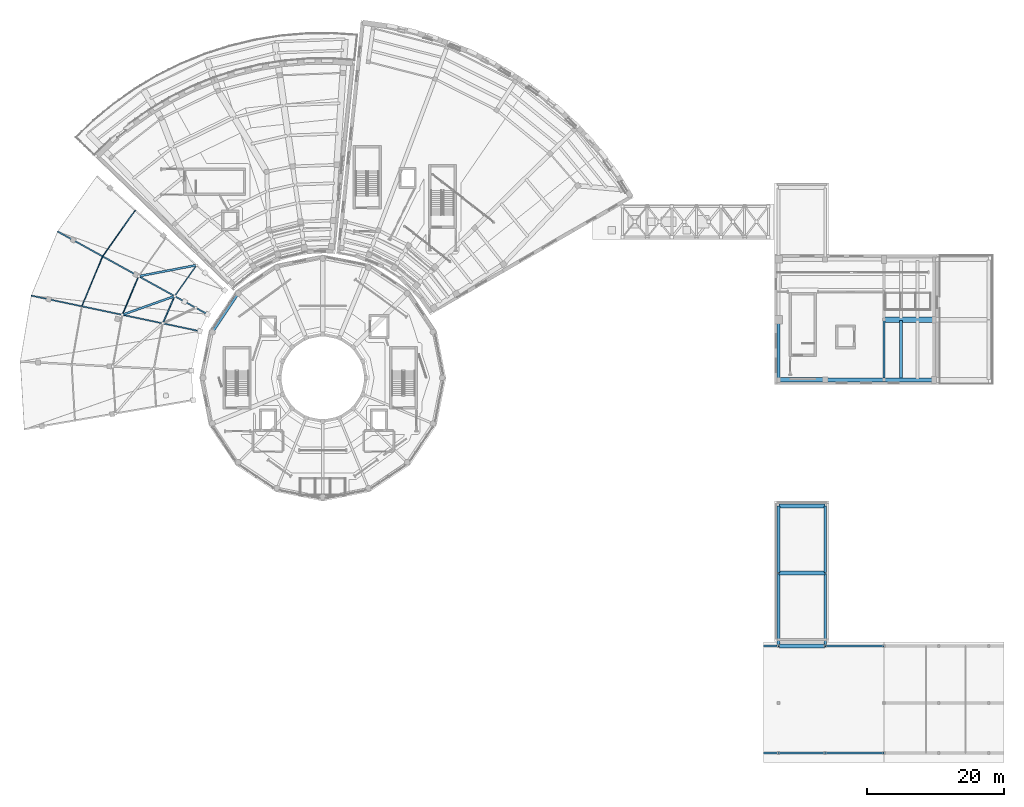
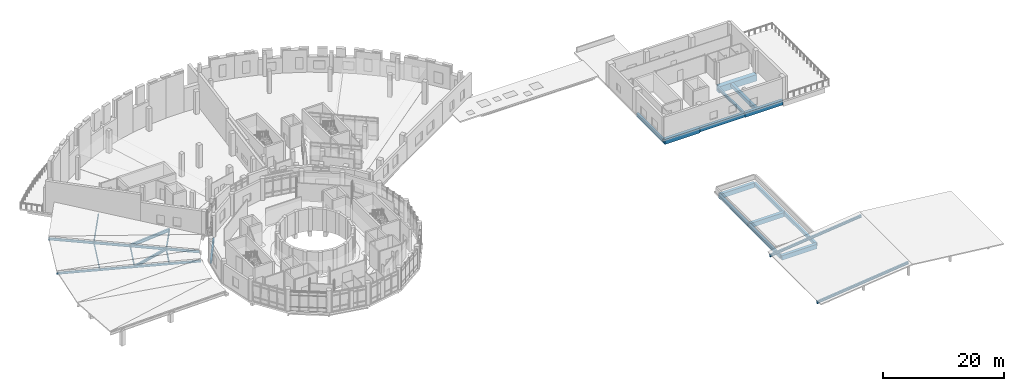
# One storey, part 12 of 49: 19 beams, 7 members.
"""IFC4 building model written with IfcOpenShell, lengths in metres."""

from ifc_helpers import new_model, si_unit, direction, frame, origin, origin_2d, place, context, subcontext, project, spatial, rectangle, i_section, extrude, material, material_profile, profile_set, type_object, element, save


model = new_model("IFC4")

# Units and contexts
model_context = context("Model", 3, precision=1e-05, world=origin(), true_north=direction((0.0, 1.0)))
body_context = subcontext(model_context, "Body", "Model", "MODEL_VIEW")
ifc_project = project(units=[si_unit("LENGTHUNIT", "METRE"), si_unit("AREAUNIT", "SQUARE_METRE"), si_unit("VOLUMEUNIT", "CUBIC_METRE"), si_unit("PLANEANGLEUNIT", "RADIAN"), si_unit("MASSUNIT", "GRAM", prefix="KILO")], contexts=[model_context])

# Site, building, storey
site_placement = place(None, origin())
site = spatial("IfcSite", under=ifc_project, at=site_placement, CompositionType="ELEMENT")
building_placement = place(site_placement, origin())
building = spatial("IfcBuilding", under=site, at=building_placement, Name="Soyqirgoq Riverine Aquarium", CompositionType="ELEMENT")
storey_placement = place(building_placement, frame((0.0, 0.0, 15.0)))
storey = spatial("IfcBuildingStorey", under=building, at=storey_placement, Name="L04", CompositionType="ELEMENT", Elevation=15.0)

# Beams
ifc_material_1 = material(Name="Concrete C40/50", Category="concrete")
ifc_material_profile_1 = material_profile(ifc_material_1, rectangle(XDim=0.39990234375, YDim=0.64990234375, at=origin_2d()), Name="RC 400x650")
ifc_profile_set_1 = profile_set([ifc_material_profile_1], Name="Concrete C40/50")
beam_type_1 = type_object("IfcBeamType", Name="Beam_RC_400x650", PredefinedType="BEAM", material=ifc_profile_set_1)
beam_1_placement = place(storey_placement, frame((122.60009765625, 17.85009765625, -0.5849609375), z_axis=(0.0, 1.0, 0.0), x_axis=(-1.0, 0.0, 0.0)))
element("IfcBeam", 1, at=beam_1_placement, inside=storey, type_object=beam_type_1, Name="V6 L04 Flat Roof Joist 1496", PredefinedType="BEAM", context=body_context, shape_type="SweptSolid", body=[
    extrude(rectangle(XDim=0.39990234375, YDim=0.64990234375, at=origin_2d()), origin(), (0.0, 0.0, 1.0), 10.599853515625),
])
beam_2_placement = place(storey_placement, frame((122.60009765625, 28.550048828125, -0.5849609375), z_axis=(0.0, 1.0, 0.0), x_axis=(-1.0, 0.0, 0.0)))
element("IfcBeam", 2, at=beam_2_placement, inside=storey, type_object=beam_type_1, Name="V6 L04 Flat Roof Joist 1497", PredefinedType="BEAM", context=body_context, shape_type="SweptSolid", body=[
    extrude(rectangle(XDim=0.39990234375, YDim=0.64990234375, at=origin_2d()), origin(), (0.0, 0.0, 1.0), 9.699951171875),
])
beam_3_placement = place(storey_placement, frame((129.39990234375, 17.85009765625, -0.5849609375), z_axis=(0.0, 1.0, 0.0), x_axis=(-1.0, 0.0, 0.0)))
element("IfcBeam", 3, at=beam_3_placement, inside=storey, type_object=beam_type_1, Name="V6 L04 Flat Roof Joist 1498", PredefinedType="BEAM", context=body_context, shape_type="SweptSolid", body=[
    extrude(rectangle(XDim=0.39990234375, YDim=0.64990234375, at=origin_2d()), origin(), (0.0, 0.0, 1.0), 10.599853515625),
])
beam_4_placement = place(storey_placement, frame((129.39990234375, 28.550048828125, -0.5849609375), z_axis=(0.0, 1.0, 0.0), x_axis=(-1.0, 0.0, 0.0)))
element("IfcBeam", 4, at=beam_4_placement, inside=storey, type_object=beam_type_1, Name="V6 L04 Flat Roof Joist 1499", PredefinedType="BEAM", context=body_context, shape_type="SweptSolid", body=[
    extrude(rectangle(XDim=0.39990234375, YDim=0.64990234375, at=origin_2d()), origin(), (0.0, 0.0, 1.0), 9.699951171875),
])
ifc_material_2 = material(Name="Concrete C40/50", Category="concrete")
ifc_material_profile_2 = material_profile(ifc_material_2, rectangle(XDim=0.39990234375, YDim=0.699951171875, at=origin_2d()), Name="RC 400x700")
ifc_profile_set_2 = profile_set([ifc_material_profile_2], Name="Concrete C40/50")
beam_type_2 = type_object("IfcBeamType", Name="Beam_RC_400x700", PredefinedType="BEAM", material=ifc_profile_set_2)
beam_5_placement = place(storey_placement, frame((122.60009765625, 56.75, -0.64990234375), z_axis=(0.0, 1.0, 0.0), x_axis=(-1.0, 0.0, 0.0)))
element("IfcBeam", 5, at=beam_5_placement, inside=storey, type_object=beam_type_2, Name="V7 L04 North-South Frame Beam 1400", PredefinedType="BEAM", context=body_context, shape_type="SweptSolid", body=[
    extrude(rectangle(XDim=0.39990234375, YDim=0.699951171875, at=origin_2d()), origin(), (0.0, 0.0, 1.0), 8.699951171875),
])
ifc_material_3 = material(Name="Concrete C40/50", Category="concrete")
ifc_material_profile_3 = material_profile(ifc_material_3, rectangle(XDim=0.5, YDim=0.75, at=origin_2d()), Name="RC 500x750")
ifc_profile_set_3 = profile_set([ifc_material_profile_3], Name="Concrete C40/50")
beam_type_3 = type_object("IfcBeamType", Name="Beam_RC_500x750", PredefinedType="BEAM", material=ifc_profile_set_3)
beam_6_placement = place(storey_placement, frame((140.48193359375, 56.840087890625, -0.675048828125), z_axis=(0.0, 1.0, 0.0), x_axis=(-1.0, 0.0, 0.0)))
element("IfcBeam", 6, at=beam_6_placement, inside=storey, type_object=beam_type_3, Name="V7 L04 Secondary Bay Joist 1421", PredefinedType="BEAM", context=body_context, shape_type="SweptSolid", body=[
    extrude(rectangle(XDim=0.5, YDim=0.75, at=origin_2d()), origin(), (0.0, 0.0, 1.0), 8.52001953125),
])

# Members
ifc_material_4 = material(Name="Structural steel S355", Category="steel")
ifc_material_profile_4 = material_profile(ifc_material_4, i_section(OverallWidth=0.300048828125, OverallDepth=0.5, WebThickness=0.014404296875, FlangeThickness=0.028076171875, FilletRadius=0.027099609375, at=origin_2d()), Name="HEB 500")
ifc_profile_set_4 = profile_set([ifc_material_profile_4], Name="Structural steel S355")
member_type_1 = type_object("IfcMemberType", Name="FoldChord_HEB500", PredefinedType="CHORD", material=ifc_profile_set_4)
member_1_placement = place(storey_placement, frame((34.366455078125, 68.9423828125, 0.8671875), z_axis=(-0.937803659866, -0.335180137461, 0.09043545208), x_axis=(0.336559249902, -0.941662291538, 0.0)))
element("IfcMember", 7, at=member_1_placement, inside=storey, type_object=member_type_1, Name="V3 Lateral Wind Brace 0164", PredefinedType="CHORD", context=body_context, shape_type="SweptSolid", body=[
    extrude(i_section(OverallWidth=0.300048828125, OverallDepth=0.5, WebThickness=0.014404296875, FlangeThickness=0.028076171875, FilletRadius=0.027099609375, at=origin_2d()), origin(), (0.0, 0.0, 1.0), 8.15283203125),
])
ifc_material_5 = material(Name="Structural steel S355", Category="steel")
ifc_material_profile_5 = material_profile(ifc_material_5, i_section(OverallWidth=0.300048828125, OverallDepth=0.60009765625, WebThickness=0.015380859375, FlangeThickness=0.030029296875, FilletRadius=0.027099609375, at=origin_2d()), Name="HEB 600")
ifc_profile_set_5 = profile_set([ifc_material_profile_5], Name="Structural steel S355")
member_type_2 = type_object("IfcMemberType", Name="FoldChord_HEB600", PredefinedType="CHORD", material=ifc_profile_set_5)
member_2_placement = place(storey_placement, frame((37.57861328125, 73.470703125, 0.8623046875), z_axis=(-0.978770022529, -0.187403051612, 0.08300204362), x_axis=(0.188051947993, -0.982159083273, 0.0)))
element("IfcMember", 8, at=member_2_placement, inside=storey, type_object=member_type_2, Name="V3 Lateral Wind Brace 0160", PredefinedType="CHORD", context=body_context, shape_type="SweptSolid", body=[
    extrude(i_section(OverallWidth=0.300048828125, OverallDepth=0.60009765625, WebThickness=0.015380859375, FlangeThickness=0.030029296875, FilletRadius=0.027099609375, at=origin_2d()), origin(), (0.0, 0.0, 1.0), 8.659423828125),
])

# Beams
ifc_material_6 = material(Name="Concrete C40/50", Category="concrete")
ifc_material_profile_6 = material_profile(ifc_material_6, rectangle(XDim=0.550048828125, YDim=0.85009765625, at=origin_2d()), Name="RC 550x850")
ifc_profile_set_6 = profile_set([ifc_material_profile_6], Name="Concrete C40/50")
beam_type_4 = type_object("IfcBeamType", Name="Girder_RC_550x850", PredefinedType="BEAM", material=ifc_profile_set_6)
beam_7_placement = place(storey_placement, frame((129.419921875, 56.699951171875, -0.72509765625), z_axis=(1.0, 0.0, 0.0), x_axis=(0.0, 1.0, 0.0)))
element("IfcBeam", 9, at=beam_7_placement, inside=storey, type_object=beam_type_4, Name="V7 L04 East-West Frame Girder 1406", PredefinedType="BEAM", context=body_context, shape_type="SweptSolid", body=[
    extrude(rectangle(XDim=0.550048828125, YDim=0.85009765625, at=origin_2d()), origin(), (0.0, 0.0, 1.0), 8.56005859375),
])
ifc_material_7 = material(Name="Concrete C40/50", Category="concrete")
ifc_material_profile_7 = material_profile(ifc_material_7, rectangle(XDim=0.580078125, YDim=0.919921875, at=origin_2d()), Name="RC 580x920")
ifc_profile_set_7 = profile_set([ifc_material_profile_7], Name="Concrete C40/50")
beam_type_5 = type_object("IfcBeamType", Name="Girder_RC_580x920", PredefinedType="BEAM", material=ifc_profile_set_7)
beam_8_placement = place(storey_placement, frame((138.02001953125, 56.699951171875, -0.760009765625), z_axis=(1.0, 0.0, 0.0), x_axis=(0.0, 1.0, 0.0)))
element("IfcBeam", 10, at=beam_8_placement, inside=storey, type_object=beam_type_5, Name="V7 L04 East-West Frame Girder 1410", PredefinedType="BEAM", context=body_context, shape_type="SweptSolid", body=[
    extrude(rectangle(XDim=0.580078125, YDim=0.919921875, at=origin_2d()), origin(), (0.0, 0.0, 1.0), 7.260009765625),
])
ifc_material_8 = material(Name="Concrete C40/50", Category="concrete")
ifc_material_profile_8 = material_profile(ifc_material_8, rectangle(XDim=0.60009765625, YDim=0.89990234375, at=origin_2d()), Name="RC 600x900")
ifc_profile_set_8 = profile_set([ifc_material_profile_8], Name="Concrete C40/50")
beam_type_6 = type_object("IfcBeamType", Name="Girder_RC_600x900", PredefinedType="BEAM", material=ifc_profile_set_8)
for number, where, z_axis, x_axis, name in (
    (11, (122.64990234375, 17.800048828125, -0.7099609375), (1.0, 0.0, 0.0), (0.0, 1.0, 0.0), "V6 L04 Flat Roof Girder 1493"),
    (12, (122.64990234375, 28.5, -0.7099609375), (1.0, 0.0, 0.0), (0.0, 1.0, 0.0), "V6 L04 Flat Roof Girder 1494"),
    (13, (122.64990234375, 38.300048828125, -0.7099609375), (1.0, 0.0, 0.0), (0.0, 1.0, 0.0), "V6 L04 Flat Roof Girder 1495"),
):
    element("IfcBeam", number, at=place(storey_placement, frame(where, z_axis=z_axis, x_axis=x_axis)), inside=storey, type_object=beam_type_6, Name=name, PredefinedType="BEAM", context=body_context, shape_type="SweptSolid", body=[
        extrude(rectangle(XDim=0.60009765625, YDim=0.89990234375, at=origin_2d()), origin(), (0.0, 0.0, 1.0), 6.7001953125),
    ])
ifc_material_9 = material(Name="Concrete C40/50", Category="concrete")
ifc_material_profile_9 = material_profile(ifc_material_9, rectangle(XDim=0.64990234375, YDim=1.0, at=origin_2d()), Name="RC 650x1000")
ifc_profile_set_9 = profile_set([ifc_material_profile_9], Name="Concrete C40/50")
beam_type_7 = type_object("IfcBeamType", Name="Girder_RC_650x1000", PredefinedType="BEAM", material=ifc_profile_set_9)
beam_9_placement = place(storey_placement, frame((122.6201171875, 56.699951171875, -0.800048828125), z_axis=(1.0, 0.0, 0.0), x_axis=(0.0, 1.0, 0.0)))
element("IfcBeam", 14, at=beam_9_placement, inside=storey, type_object=beam_type_7, Name="V7 L04 East-West Frame Girder 1401", PredefinedType="BEAM", context=body_context, shape_type="SweptSolid", body=[
    extrude(rectangle(XDim=0.64990234375, YDim=1.0, at=origin_2d()), origin(), (0.0, 0.0, 1.0), 6.759765625),
])
ifc_material_10 = material(Name="Concrete C40/50", Category="concrete")
ifc_material_profile_10 = material_profile(ifc_material_10, rectangle(XDim=0.85009765625, YDim=1.300048828125, at=origin_2d()), Name="RC 850x1300")
ifc_profile_set_10 = profile_set([ifc_material_profile_10], Name="Concrete C40/50")
beam_type_8 = type_object("IfcBeamType", Name="Girder_RC_850x1300", PredefinedType="BEAM", material=ifc_profile_set_10)
beam_10_placement = place(storey_placement, frame((138.02001953125, 65.5, -0.949951171875), z_axis=(1.0, 0.0, 0.0), x_axis=(0.0, 1.0, 0.0)))
element("IfcBeam", 15, at=beam_10_placement, inside=storey, type_object=beam_type_8, Name="V7 L04 East-West Frame Girder 1412", PredefinedType="BEAM", context=body_context, shape_type="SweptSolid", body=[
    extrude(rectangle(XDim=0.85009765625, YDim=1.300048828125, at=origin_2d()), origin(), (0.0, 0.0, 1.0), 7.260009765625),
])
ifc_material_11 = material(Name="Structural steel S355", Category="steel")
ifc_material_profile_11 = material_profile(ifc_material_11, i_section(OverallWidth=0.18994140625, OverallDepth=0.449951171875, WebThickness=0.009521484375, FlangeThickness=0.0146484375, FilletRadius=0.02099609375, at=origin_2d()), Name="IPE 450")
ifc_profile_set_11 = profile_set([ifc_material_profile_11], Name="Structural steel S355")
beam_type_9 = type_object("IfcBeamType", Name="Outrigger_IPE450", PredefinedType="BEAM", material=ifc_profile_set_11)
beam_11_placement = place(storey_placement, frame((38.05126953125, 63.818115234375, 0.23681640625), z_axis=(-0.971685237536, 0.205102623808, 0.117306064894), x_axis=(-0.206528536134, -0.978440577533, 0.0)))
element("IfcBeam", 16, at=beam_11_placement, inside=storey, type_object=beam_type_9, Name="V3 Prairie Cantilever Eave Rafter 03", PredefinedType="BEAM", context=body_context, shape_type="SweptSolid", body=[
    extrude(i_section(OverallWidth=0.18994140625, OverallDepth=0.449951171875, WebThickness=0.009521484375, FlangeThickness=0.0146484375, FilletRadius=0.02099609375, at=origin_2d()), origin(), (0.0, 0.0, 1.0), 25.349365234375),
])
ifc_material_12 = material(Name="Structural steel S355", Category="steel")
ifc_material_profile_12 = material_profile(ifc_material_12, i_section(OverallWidth=0.199951171875, OverallDepth=0.5, WebThickness=0.01025390625, FlangeThickness=0.01611328125, FilletRadius=0.02099609375, at=origin_2d()), Name="IPE 500")
ifc_profile_set_12 = profile_set([ifc_material_profile_12], Name="Structural steel S355")
beam_type_10 = type_object("IfcBeamType", Name="Outrigger_IPE500", PredefinedType="BEAM", material=ifc_profile_set_12)
beam_12_placement = place(storey_placement, frame((39.191162109375, 66.279052734375, 0.212890625), z_axis=(-0.869358350643, 0.479909966194, 0.11790878896), x_axis=(-0.483281127797, -0.875465220049, 0.0)))
element("IfcBeam", 17, at=beam_12_placement, inside=storey, type_object=beam_type_10, Name="V3 Prairie Cantilever Eave Rafter 02", PredefinedType="BEAM", context=body_context, shape_type="SweptSolid", body=[
    extrude(i_section(OverallWidth=0.199951171875, OverallDepth=0.5, WebThickness=0.01025390625, FlangeThickness=0.01611328125, FilletRadius=0.02099609375, at=origin_2d()), origin(), (0.0, 0.0, 1.0), 25.22607421875),
])

# Members
ifc_material_13 = material(Name="Structural steel S355", Category="steel")
ifc_material_profile_13 = material_profile(ifc_material_13, i_section(OverallWidth=0.110107421875, OverallDepth=0.219970703125, WebThickness=0.005859375, FlangeThickness=0.00927734375, FilletRadius=0.011962890625, at=origin_2d()), Name="IPE 220")
ifc_profile_set_13 = profile_set([ifc_material_profile_13], Name="Structural steel S355")
member_type_3 = type_object("IfcMemberType", Name="Purlin_IPE220", PredefinedType="PURLIN", material=ifc_profile_set_13)
member_3_placement = place(storey_placement, frame((23.83984375, 74.75341796875, 2.418212890625), z_axis=(-0.383513953233, -0.923226275045, -0.023880802791), x_axis=(0.92348964232, -0.383623357641, 0.0)))
element("IfcMember", 18, at=member_3_placement, inside=storey, type_object=member_type_3, Name="V3 Prairie Roof Purlin 0163", PredefinedType="PURLIN", context=body_context, shape_type="SweptSolid", body=[
    extrude(i_section(OverallWidth=0.110107421875, OverallDepth=0.219970703125, WebThickness=0.005859375, FlangeThickness=0.00927734375, FilletRadius=0.011962890625, at=origin_2d()), origin(), (0.0, 0.0, 1.0), 7.902587890625),
])
ifc_material_14 = material(Name="Structural steel S355", Category="steel")
ifc_material_profile_14 = material_profile(ifc_material_14, i_section(OverallWidth=0.1201171875, OverallDepth=0.239990234375, WebThickness=0.006103515625, FlangeThickness=0.009765625, FilletRadius=0.014892578125, at=origin_2d()), Name="IPE 240")
ifc_profile_set_14 = profile_set([ifc_material_profile_14], Name="Structural steel S355")
member_type_4 = type_object("IfcMemberType", Name="Purlin_IPE240", PredefinedType="PURLIN", material=ifc_profile_set_14)
member_4_placement = place(storey_placement, frame((28.614990234375, 81.485107421875, 2.30517578125), z_axis=(-0.578569504645, -0.815629477559, -0.002425619888), x_axis=(0.815631877001, -0.578571206697, 0.0)))
element("IfcMember", 19, at=member_4_placement, inside=storey, type_object=member_type_4, Name="V3 Prairie Roof Purlin 0159", PredefinedType="PURLIN", context=body_context, shape_type="SweptSolid", body=[
    extrude(i_section(OverallWidth=0.1201171875, OverallDepth=0.239990234375, WebThickness=0.006103515625, FlangeThickness=0.009765625, FilletRadius=0.014892578125, at=origin_2d()), origin(), (0.0, 0.0, 1.0), 8.25341796875),
])
member_5_placement = place(storey_placement, frame((29.10302734375, 71.847900390625, 1.69384765625), z_axis=(-0.389118005079, -0.920915270476, -0.022410772582), x_axis=(0.921146619123, -0.389215757747, 0.0)))
element("IfcMember", 20, at=member_5_placement, inside=storey, type_object=member_type_4, Name="V3 Prairie Roof Purlin 0162", PredefinedType="PURLIN", context=body_context, shape_type="SweptSolid", body=[
    extrude(i_section(OverallWidth=0.1201171875, OverallDepth=0.239990234375, WebThickness=0.006103515625, FlangeThickness=0.009765625, FilletRadius=0.014892578125, at=origin_2d()), origin(), (0.0, 0.0, 1.0), 6.122314453125),
])
ifc_material_15 = material(Name="Structural steel S355", Category="steel")
ifc_material_profile_15 = material_profile(ifc_material_15, i_section(OverallWidth=0.135009765625, OverallDepth=0.27001953125, WebThickness=0.006591796875, FlangeThickness=0.01025390625, FilletRadius=0.014892578125, at=origin_2d()), Name="IPE 270")
ifc_profile_set_15 = profile_set([ifc_material_profile_15], Name="Structural steel S355")
member_type_5 = type_object("IfcMemberType", Name="Purlin_IPE270", PredefinedType="PURLIN", material=ifc_profile_set_15)
member_6_placement = place(storey_placement, frame((34.366455078125, 68.9423828125, 0.862548828125), z_axis=(-0.399327329167, -0.916603234513, 0.019395738218), x_axis=(0.916775693794, -0.399402462771, 0.0)))
element("IfcMember", 21, at=member_6_placement, inside=storey, type_object=member_type_5, Name="V3 Prairie Roof Purlin 0161", PredefinedType="PURLIN", context=body_context, shape_type="SweptSolid", body=[
    extrude(i_section(OverallWidth=0.135009765625, OverallDepth=0.27001953125, WebThickness=0.006591796875, FlangeThickness=0.01025390625, FilletRadius=0.014892578125, at=origin_2d()), origin(), (0.0, 0.0, 1.0), 4.342529296875),
])
ifc_material_16 = material(Name="Structural steel S355", Category="steel")
ifc_material_profile_16 = material_profile(ifc_material_16, i_section(OverallWidth=0.14990234375, OverallDepth=0.300048828125, WebThickness=0.007080078125, FlangeThickness=0.0107421875, FilletRadius=0.014892578125, at=origin_2d()), Name="IPE 300")
ifc_profile_set_16 = profile_set([ifc_material_profile_16], Name="Structural steel S355")
member_type_6 = type_object("IfcMemberType", Name="Purlin_IPE300", PredefinedType="PURLIN", material=ifc_profile_set_16)
member_7_placement = place(storey_placement, frame((37.57861328125, 73.470703125, 0.798828125), z_axis=(-0.578528216775, -0.81557660293, 0.011828235184), x_axis=(0.815633661415, -0.578568691139, 0.0)))
element("IfcMember", 22, at=member_7_placement, inside=storey, type_object=member_type_6, Name="V3 Prairie Roof Purlin 0157", PredefinedType="PURLIN", context=body_context, shape_type="SweptSolid", body=[
    extrude(i_section(OverallWidth=0.14990234375, OverallDepth=0.300048828125, WebThickness=0.007080078125, FlangeThickness=0.0107421875, FilletRadius=0.014892578125, at=origin_2d()), origin(), (0.0, 0.0, 1.0), 5.55224609375),
])

# Beams
ifc_material_17 = material(Name="Concrete C40/50", Category="concrete")
ifc_material_profile_17 = material_profile(ifc_material_17, rectangle(XDim=0.35009765625, YDim=0.5, at=origin_2d()), Name="RC 350x500")
ifc_profile_set_17 = profile_set([ifc_material_profile_17], Name="Concrete C40/50")
beam_type_11 = type_object("IfcBeamType", Name="Spandrel_RC_350x500", PredefinedType="SPANDREL", material=ifc_profile_set_17)
beam_13_placement = place(storey_placement, frame((43.64990234375, 69.322509765625, -0.60009765625), z_axis=(-0.555557213186, -0.83147831173, 0.0), x_axis=(0.83147831173, -0.555557213186, 0.0)))
element("IfcBeam", 23, at=beam_13_placement, inside=storey, type_object=beam_type_11, Name="V1 L04 Drum Spandrel Beam 0099", PredefinedType="SPANDREL", context=body_context, shape_type="SweptSolid", body=[
    extrude(rectangle(XDim=0.35009765625, YDim=0.5, at=origin_2d()), origin(), (0.0, 0.0, 1.0), 6.768798828125),
])
ifc_material_18 = material(Name="Structural steel S355", Category="steel")
ifc_material_profile_18 = material_profile(ifc_material_18, i_section(OverallWidth=0.300048828125, OverallDepth=0.489990234375, WebThickness=0.011962890625, FlangeThickness=0.02294921875, FilletRadius=0.027099609375, at=origin_2d()), Name="HEA 500")
ifc_profile_set_18 = profile_set([ifc_material_profile_18], Name="Structural steel S355")
beam_type_12 = type_object("IfcBeamType", Name="SteelBeam_HEA500", PredefinedType="BEAM", material=ifc_profile_set_18)
for number, where, z_axis, x_axis, name in (
    (24, (120.39990234375, 2.199951171875, 0.36962890625), (0.993918489559, 0.0, 0.110118282371), (0.0, 1.0, 0.0), "V6 Sloped Prairie Rafter W01"),
    (25, (120.39990234375, 17.800048828125, 0.36962890625), (0.993918489559, 0.0, 0.110118282371), (0.0, 1.0, 0.0), "V6 Sloped Prairie Rafter W03"),
):
    element("IfcBeam", number, at=place(storey_placement, frame(where, z_axis=z_axis, x_axis=x_axis)), inside=storey, type_object=beam_type_12, Name=name, PredefinedType="BEAM", context=body_context, shape_type="SweptSolid", body=[
        extrude(i_section(OverallWidth=0.300048828125, OverallDepth=0.489990234375, WebThickness=0.011962890625, FlangeThickness=0.02294921875, FilletRadius=0.027099609375, at=origin_2d()), origin(), (0.0, 0.0, 1.0), 17.707763671875),
    ])
ifc_material_19 = material(Name="Structural steel S355", Category="steel")
ifc_material_profile_19 = material_profile(ifc_material_19, i_section(OverallWidth=0.300048828125, OverallDepth=0.590087890625, WebThickness=0.012939453125, FlangeThickness=0.02490234375, FilletRadius=0.027099609375, at=origin_2d()), Name="HEA 600")
ifc_profile_set_19 = profile_set([ifc_material_profile_19], Name="Structural steel S355")
beam_type_13 = type_object("IfcBeamType", Name="SteelBeam_HEA600", PredefinedType="BEAM", material=ifc_profile_set_19)
beam_14_placement = place(storey_placement, frame((138.0, 56.75, -0.594970703125), z_axis=(0.0, 1.0, 0.0), x_axis=(-1.0, 0.0, 0.0)))
element("IfcBeam", 26, at=beam_14_placement, inside=storey, type_object=beam_type_13, Name="V7 L04 North-South Frame Beam 1409", PredefinedType="BEAM", context=body_context, shape_type="SweptSolid", body=[
    extrude(i_section(OverallWidth=0.300048828125, OverallDepth=0.590087890625, WebThickness=0.012939453125, FlangeThickness=0.02490234375, FilletRadius=0.027099609375, at=origin_2d()), origin(), (0.0, 0.0, 1.0), 8.699951171875),
])

save(model, "model.ifc")
